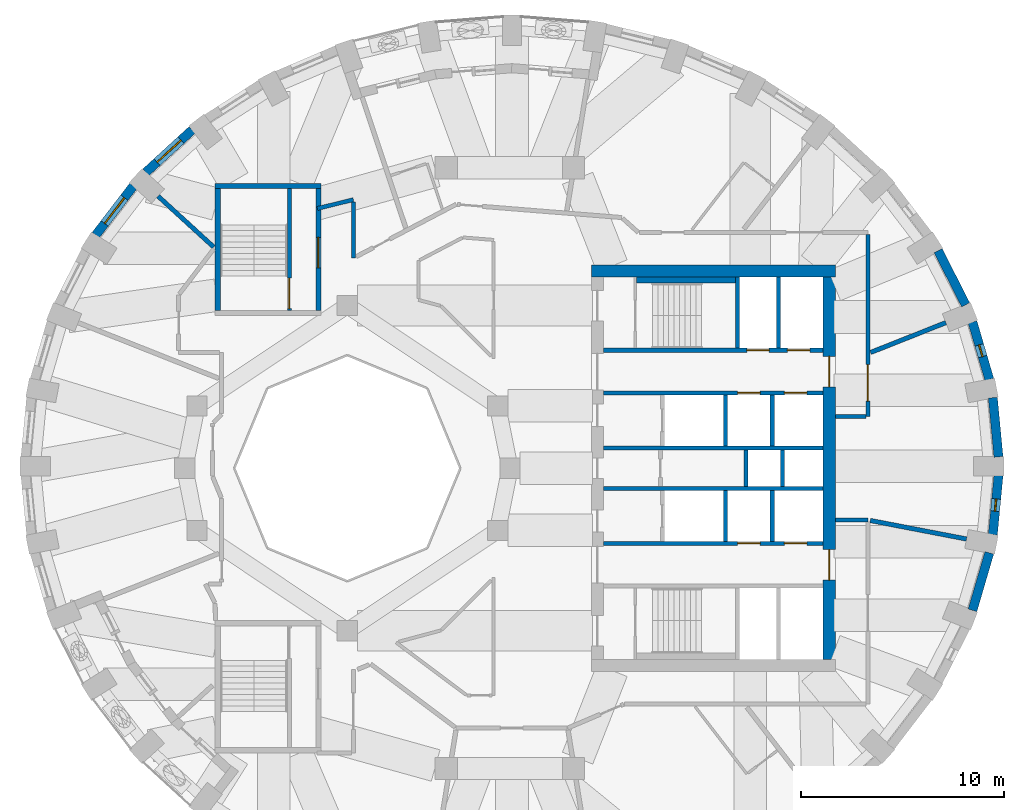
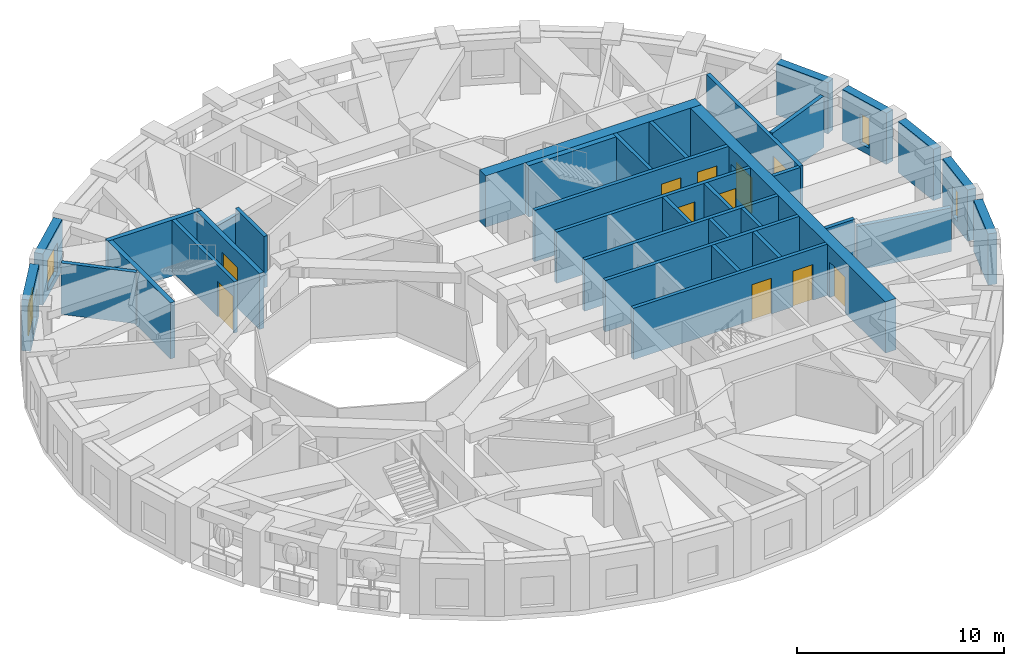
# One storey, part 6 of 11: 35 walls, 11 doors, 4 windows, 15 openings.
"""IFC4 building model written with IfcOpenShell, lengths in metres."""

import ifcopenshell
import ifcopenshell.guid

model = None  # the IFC model being written
_history = None  # IfcOwnerHistory: only IFC2X3 demands one
_inside = {}  # id of a spatial element -> (the spatial element, [elements in it])
_under = {}  # id of a project, library or spatial element -> (it, [spatial elements below it])
_declared = {}  # id of a project -> (the project, [libraries it declares])
_typed = {}  # id of a type object -> (the type object, [elements of that type])
_made_of = {}  # id of a material, layer set ... -> (it, [elements and type objects made of it])


def new_model(schema):
    """Start an empty IFC model of exactly this schema.

    Asked for "IFC4X3", IfcOpenShell would pick the latest addendum, in which some entities
    have other attributes; the version numbers below select the first issue.
    IFC2X3 requires an IfcOwnerHistory on every rooted entity: one is made here for all.
    """
    global model, _history
    if schema == "IFC4X3":
        model = ifcopenshell.file(schema_version=(4, 3, 0, 0))
    else:
        model = ifcopenshell.file(schema=schema)
    _inside.clear()
    _under.clear()
    _declared.clear()
    _typed.clear()
    _made_of.clear()
    _history = None
    if model.schema == "IFC2X3":
        org = make("IfcOrganization", Name="unknown")
        user = make(
            "IfcPersonAndOrganization",
            ThePerson=make("IfcPerson", FamilyName="unknown"),
            TheOrganization=org,
        )
        app = make(
            "IfcApplication",
            ApplicationDeveloper=org,
            Version="unknown",
            ApplicationFullName="unknown",
            ApplicationIdentifier="unknown",
        )
        _history = make(
            "IfcOwnerHistory",
            OwningUser=user,
            OwningApplication=app,
            ChangeAction="ADDED",
            CreationDate=0,
        )
    return model


def make(cls, **values):
    """One entity of the class cls with the attributes given. An attribute that is None is left unset."""
    return model.create_entity(
        cls, **{name: value for name, value in values.items() if value is not None}
    )


def rooted(cls, **values):
    """An entity with a GlobalId (a new one), such as an element, a storey or a relation."""
    return make(cls, GlobalId=ifcopenshell.guid.new(), OwnerHistory=_history, **values)


def si_unit(unit_type, name, prefix=None):
    """IfcSIUnit, for example si_unit("LENGTHUNIT", "METRE", prefix="MILLI")."""
    return make("IfcSIUnit", UnitType=unit_type, Prefix=prefix, Name=name)


def assignment(units):
    """IfcUnitAssignment: the units of a project."""
    return None if units is None else make("IfcUnitAssignment", Units=units)


def point(xyz):
    """IfcCartesianPoint."""
    return None if xyz is None else make("IfcCartesianPoint", Coordinates=xyz)


def direction(xyz):
    """IfcDirection."""
    return None if xyz is None else make("IfcDirection", DirectionRatios=xyz)


def frame(location, z_axis=None, x_axis=None):
    """IfcAxis2Placement3D, a coordinate frame: its origin and axes. An axis left out is left unset."""
    return make(
        "IfcAxis2Placement3D",
        Location=point(location),
        Axis=direction(z_axis),
        RefDirection=direction(x_axis),
    )


def frame_2d(location, x_axis=None):
    """IfcAxis2Placement2D, a coordinate frame in the plane: its origin and x axis."""
    return make(
        "IfcAxis2Placement2D", Location=point(location), RefDirection=direction(x_axis)
    )


def origin():
    """The frame at (0, 0, 0) with its axes left unset."""
    return frame((0.0, 0.0, 0.0))


def place(relative_to, where):
    """IfcLocalPlacement: puts the frame where relative to a parent placement (None: the world)."""
    return make(
        "IfcLocalPlacement", PlacementRelTo=relative_to, RelativePlacement=where
    )


def context(
    kind, dimensions, precision=None, world=None, true_north=None, identifier=None
):
    """IfcGeometricRepresentationContext, for example the 3D "Model" context."""
    return make(
        "IfcGeometricRepresentationContext",
        ContextIdentifier=identifier,
        ContextType=kind,
        CoordinateSpaceDimension=dimensions,
        Precision=precision,
        WorldCoordinateSystem=world,
        TrueNorth=true_north,
    )


def subcontext(parent, identifier, kind, view, scale=None):
    """IfcGeometricRepresentationSubContext, for example "Body" below "Model"."""
    return make(
        "IfcGeometricRepresentationSubContext",
        ContextIdentifier=identifier,
        ContextType=kind,
        ParentContext=parent,
        TargetScale=scale,
        TargetView=view,
    )


def project(units=None, contexts=None):
    """IfcProject with its units and contexts."""
    return rooted(
        "IfcProject",
        Name="project",
        RepresentationContexts=contexts,
        UnitsInContext=assignment(units),
    )


def spatial(cls, under=None, at=None, **own):
    """A site, building, storey or space (cls), placed at a placement, below another one or the project."""
    s = rooted(cls, ObjectPlacement=at, **own)
    if under is not None:
        _under.setdefault(under.id(), (under, []))[1].append(s)
    return s


def profile(cls, at=None, kind="AREA", **sizes):
    """A parametric profile (cls). Its sizes go by their IFC names, for example OverallWidth=200.0."""
    return make(cls, ProfileType=kind, Position=at, **sizes)


def rectangle(**sizes):
    """IfcRectangleProfileDef."""
    return profile("IfcRectangleProfileDef", **sizes)


def extrude(swept, where, along, depth):
    """IfcExtrudedAreaSolid: the profile swept, set in the frame where, extruded along a direction by depth."""
    return make(
        "IfcExtrudedAreaSolid",
        SweptArea=swept,
        Position=where,
        ExtrudedDirection=direction(along),
        Depth=depth,
    )


def shape(context_of_items, identifier, shape_type, items):
    """IfcShapeRepresentation: the items that make up one representation, for example the "Body"."""
    return make(
        "IfcShapeRepresentation",
        ContextOfItems=context_of_items,
        RepresentationIdentifier=identifier,
        RepresentationType=shape_type,
        Items=items,
    )


def material(Name=None, Category=None):
    """IfcMaterial."""
    return make("IfcMaterial", Name=Name, Category=Category)


def layer(
    of_material, thickness, ventilated=None, Name=None, Category=None, Priority=None
):
    """IfcMaterialLayer: one layer of a wall or slab, of a material (None: an air gap)."""
    return make(
        "IfcMaterialLayer",
        Material=of_material,
        LayerThickness=thickness,
        IsVentilated=ventilated,
        Name=Name,
        Category=Category,
        Priority=Priority,
    )


def layer_set(layers, Name=None):
    """IfcMaterialLayerSet."""
    return make("IfcMaterialLayerSet", MaterialLayers=layers, LayerSetName=Name)


def made_of(thing, what):
    """Note that an element or type object is made of a material, layer set ...; save() writes the relation."""
    if what is not None:
        _made_of.setdefault(what.id(), (what, []))[1].append(thing)
    return thing


def type_object(cls, material=None, **own):
    """A type object (cls), such as IfcWallType, which elements share."""
    return made_of(rooted(cls, **own), material)


def element(
    cls,
    number,
    at=None,
    inside=None,
    cuts=None,
    type_object=None,
    material=None,
    context=None,
    identifier="Body",
    shape_type=None,
    held_by="IfcProductDefinitionShape",
    body=None,
    shapes=None,
    **own,
):
    """One element of the class cls, such as IfcWall. Its Tag is "e" and its number.

    at: its placement. inside: the storey or other place that contains it. cuts: it is an
    opening in that element (IfcRelVoidsElement). A single representation is given by context,
    identifier, shape_type and body (its items); several are given by shapes. held_by: the class
    of the entity that holds the representations. save() writes the other relations.
    """
    e = rooted(cls, Tag="e%d" % number, ObjectPlacement=at, **own)
    if body is not None:
        shapes = [shape(context, identifier, shape_type, body)]
    if shapes is not None:
        e.Representation = make(held_by, Representations=shapes)
    if inside is not None:
        _inside.setdefault(inside.id(), (inside, []))[1].append(e)
    if cuts is not None:
        rooted(
            "IfcRelVoidsElement", RelatingBuildingElement=cuts, RelatedOpeningElement=e
        )
    if type_object is not None:
        _typed.setdefault(type_object.id(), (type_object, []))[1].append(e)
    return made_of(e, material)


def fill(opening, filler):
    """IfcRelFillsElement: the door or window that sits in an opening."""
    return rooted(
        "IfcRelFillsElement",
        RelatingOpeningElement=opening,
        RelatedBuildingElement=filler,
    )


def aggregate(whole, parts):
    """IfcRelAggregates: a whole, such as a stair, and the parts it consists of."""
    return rooted("IfcRelAggregates", RelatingObject=whole, RelatedObjects=parts)


def save(model, path):
    """Write the relations noted so far, then the file.

    IfcRelAggregates (storeys below a building ...), IfcRelContainedInSpatialStructure (elements
    in a storey), IfcRelDefinesByType, IfcRelAssociatesMaterial and IfcRelDeclares: one each for
    every whole, place, type object, material and project.
    """
    for whole, parts in _under.values():
        aggregate(whole, parts)
    for where, things in _inside.values():
        rooted(
            "IfcRelContainedInSpatialStructure",
            RelatedElements=things,
            RelatingStructure=where,
        )
    for kind, things in _typed.values():
        rooted("IfcRelDefinesByType", RelatedObjects=things, RelatingType=kind)
    for what, things in _made_of.values():
        rooted("IfcRelAssociatesMaterial", RelatedObjects=things, RelatingMaterial=what)
    for by, libraries in _declared.values():
        rooted("IfcRelDeclares", RelatingContext=by, RelatedDefinitions=libraries)
    model.write(path)


model = new_model("IFC4")

# Units and contexts
model_context = context("Model", 3, precision=1e-05, world=origin(), true_north=direction((0.0, 1.0)))
body_context = subcontext(model_context, "Body", "Model", "MODEL_VIEW")
ifc_project = project(units=[si_unit("LENGTHUNIT", "METRE"), si_unit("AREAUNIT", "SQUARE_METRE"), si_unit("VOLUMEUNIT", "CUBIC_METRE"), si_unit("PLANEANGLEUNIT", "RADIAN"), si_unit("MASSUNIT", "GRAM", prefix="KILO")], contexts=[model_context])

# Site, building, storey
site_placement = place(None, origin())
site = spatial("IfcSite", under=ifc_project, at=site_placement, CompositionType="ELEMENT")
building_placement = place(site_placement, origin())
building = spatial("IfcBuilding", under=site, at=building_placement, Name="Taillehof Tower", CompositionType="ELEMENT")
storey_placement = place(building_placement, frame((0.0, 0.0, 178.10009765625)))
storey = spatial("IfcBuildingStorey", under=building, at=storey_placement, Name="L50", CompositionType="ELEMENT", Elevation=178.10009765625)

# Wall
ifc_material_1 = material(Name="Brick masonry", Category="masonry")
ifc_layer_1 = layer(ifc_material_1, 0.449951171875)
ifc_layer_set_1 = layer_set([ifc_layer_1], Name="Brick infill wall 450")
wall_type_1 = type_object("IfcWallType", Name="Brick infill wall 450", PredefinedType="SOLIDWALL", material=ifc_layer_set_1)
wall_1_placement = place(storey_placement, frame((24.030517578125, 0.55517578125, 0.0), z_axis=(0.0, 0.0, 1.0), x_axis=(-0.095265737322, 0.995451876935, 0.0)))
element("IfcWall", 1, at=wall_1_placement, inside=storey, type_object=wall_type_1, Name="Brick wall L50 bay 1", PredefinedType="SOLIDWALL", context=body_context, shape_type="SweptSolid", body=[
    extrude(rectangle(XDim=2.9267578125, YDim=0.449951171875, at=frame_2d((1.46337890625, 0.0))), origin(), (0.0, 0.0, 1.0), 3.02001953125),
])

# Wall, opening, window
wall_2_placement = place(storey_placement, frame((23.579833984375, 4.3623046875, 0.0), z_axis=(0.0, 0.0, 1.0), x_axis=(-0.281049481624, 0.959693278542, 0.0)))
wall_2 = element("IfcWall", 2, at=wall_2_placement, inside=storey, type_object=wall_type_1, Name="Brick wall L50 bay 2", PredefinedType="SOLIDWALL", context=body_context, shape_type="SweptSolid", body=[
    extrude(rectangle(XDim=2.947509765625, YDim=0.449951171875, at=frame_2d((1.4736328125, 0.0))), origin(), (0.0, 0.0, 1.0), 3.02001953125),
])
opening_1_placement = place(wall_2_placement, frame((1.173583984375, 0.0, 0.39990234375)))
opening_1 = element("IfcOpeningElement", 3, at=opening_1_placement, cuts=wall_2, Name="Opening W6", PredefinedType="OPENING", context=body_context, shape_type="SweptSolid", body=[
    extrude(rectangle(XDim=0.60009765625, YDim=1.75, at=frame_2d((0.300048828125, 0.875))), frame((0.0, 0.23486328125, 0.0), z_axis=(0.0, -1.0, 0.0), x_axis=(1.0, 0.0, 0.0)), (0.0, 0.0, 1.0), 0.469970703125),
])
ifc_material_2 = material(Name="Aluminium window frame with clear double glazing", Category="aluminium")
window_type_1 = type_object("IfcWindowType", Name="Slot window 600x1750", PartitioningType="SINGLE_PANEL", PredefinedType="WINDOW", material=ifc_material_2)
window_1_placement = place(opening_1_placement, origin())
window_1 = element("IfcWindow", 4, at=window_1_placement, inside=storey, type_object=window_type_1, Name="W6", OverallHeight=1.75, OverallWidth=0.60009765625, PartitioningType="SINGLE_PANEL", PredefinedType="WINDOW", context=body_context, shape_type="SweptSolid", body=[
    extrude(rectangle(XDim=0.60009765625, YDim=1.75, at=frame_2d((0.300048828125, 0.875))), frame((0.0, 0.034912109375, 0.0), z_axis=(0.0, -1.0, 0.0), x_axis=(1.0, 0.0, 0.0)), (0.0, 0.0, 1.0), 0.06005859375),
])
fill(opening_1, window_1)

# Wall
wall_3_placement = place(storey_placement, frame((22.415283203125, 8.036865234375, 0.0), z_axis=(0.0, 0.0, 1.0), x_axis=(-0.454133999889, 0.890933392653, 0.0)))
element("IfcWall", 5, at=wall_3_placement, inside=storey, type_object=wall_type_1, Name="Brick wall L50 bay 3", PredefinedType="SOLIDWALL", context=body_context, shape_type="SweptSolid", body=[
    extrude(rectangle(XDim=2.98583984375, YDim=0.449951171875, at=frame_2d((1.492919921875, 0.0))), origin(), (0.0, 0.0, 1.0), 3.02001953125),
])

# Wall, opening, window
wall_4_placement = place(storey_placement, frame((-15.630126953125, 16.638671875, 0.0), z_axis=(0.0, 0.0, 1.0), x_axis=(-0.737808755941, -0.675009807082, 0.0)))
wall_4 = element("IfcWall", 6, at=wall_4_placement, inside=storey, type_object=wall_type_1, Name="Brick wall L50 bay 14", PredefinedType="SOLIDWALL", context=body_context, shape_type="SweptSolid", body=[
    extrude(rectangle(XDim=3.094482421875, YDim=0.449951171875, at=frame_2d((1.54736328125, 0.0))), origin(), (0.0, 0.0, 1.0), 3.02001953125),
])
opening_2_placement = place(wall_4_placement, frame((0.747314453125, 0.0, 0.39990234375)))
opening_2 = element("IfcOpeningElement", 7, at=opening_2_placement, cuts=wall_4, Name="Opening W3", PredefinedType="OPENING", context=body_context, shape_type="SweptSolid", body=[
    extrude(rectangle(XDim=1.60009765625, YDim=1.75, at=frame_2d((0.800048828125, 0.875))), frame((0.0, 0.23486328125, 0.0), z_axis=(0.0, -1.0, 0.0), x_axis=(1.0, 0.0, 0.0)), (0.0, 0.0, 1.0), 0.469970703125),
])
ifc_material_3 = material(Name="Aluminium window frame with clear double glazing", Category="aluminium")
window_type_2 = type_object("IfcWindowType", Name="Deep-set window 1600x1750", PartitioningType="SINGLE_PANEL", PredefinedType="WINDOW", material=ifc_material_3)
window_2_placement = place(opening_2_placement, origin())
window_2 = element("IfcWindow", 8, at=window_2_placement, inside=storey, type_object=window_type_2, Name="W3", OverallHeight=1.75, OverallWidth=1.60009765625, PartitioningType="SINGLE_PANEL", PredefinedType="WINDOW", context=body_context, shape_type="SweptSolid", body=[
    extrude(rectangle(XDim=1.60009765625, YDim=1.75, at=frame_2d((0.800048828125, 0.875))), frame((0.0, 0.034912109375, 0.0), z_axis=(0.0, -1.0, 0.0), x_axis=(1.0, 0.0, 0.0)), (0.0, 0.0, 1.0), 0.06005859375),
])
fill(opening_2, window_2)

wall_5_placement = place(storey_placement, frame((-18.528076171875, 13.878662109375, 0.0), z_axis=(0.0, 0.0, 1.0), x_axis=(-0.607817056371, -0.794077090706, 0.0)))
wall_5 = element("IfcWall", 9, at=wall_5_placement, inside=storey, type_object=wall_type_1, Name="Brick wall L50 bay 15", PredefinedType="SOLIDWALL", context=body_context, shape_type="SweptSolid", body=[
    extrude(rectangle(XDim=3.037109375, YDim=0.449951171875, at=frame_2d((1.5185546875, 0.0))), origin(), (0.0, 0.0, 1.0), 3.02001953125),
])
opening_3_placement = place(wall_5_placement, frame((0.718505859375, 0.0, 0.39990234375)))
opening_3 = element("IfcOpeningElement", 10, at=opening_3_placement, cuts=wall_5, Name="Opening W3", PredefinedType="OPENING", context=body_context, shape_type="SweptSolid", body=[
    extrude(rectangle(XDim=1.60009765625, YDim=1.75, at=frame_2d((0.800048828125, 0.875))), frame((0.0, 0.23486328125, 0.0), z_axis=(0.0, -1.0, 0.0), x_axis=(1.0, 0.0, 0.0)), (0.0, 0.0, 1.0), 0.469970703125),
])
window_3_placement = place(opening_3_placement, origin())
window_3 = element("IfcWindow", 11, at=window_3_placement, inside=storey, type_object=window_type_2, Name="W3", OverallHeight=1.75, OverallWidth=1.60009765625, PartitioningType="SINGLE_PANEL", PredefinedType="WINDOW", context=body_context, shape_type="SweptSolid", body=[
    extrude(rectangle(XDim=1.60009765625, YDim=1.75, at=frame_2d((0.800048828125, 0.875))), frame((0.0, 0.034912109375, 0.0), z_axis=(0.0, -1.0, 0.0), x_axis=(1.0, 0.0, 0.0)), (0.0, 0.0, 1.0), 0.06005859375),
])
fill(opening_3, window_3)

# Wall
wall_6_placement = place(storey_placement, frame((22.75146484375, -6.990966796875, 0.0), z_axis=(0.0, 0.0, 1.0), x_axis=(0.281049481624, 0.959693278542, 0.0)))
element("IfcWall", 12, at=wall_6_placement, inside=storey, type_object=wall_type_1, Name="Brick wall L50 bay 35", PredefinedType="SOLIDWALL", context=body_context, shape_type="SweptSolid", body=[
    extrude(rectangle(XDim=2.947509765625, YDim=0.449951171875, at=frame_2d((1.4736328125, 0.0))), origin(), (0.0, 0.0, 1.0), 3.02001953125),
])

# Wall, opening, window
wall_7_placement = place(storey_placement, frame((23.751708984375, -3.2685546875, 0.0), z_axis=(0.0, 0.0, 1.0), x_axis=(0.095257827044, 0.995452633924, 0.0)))
wall_7 = element("IfcWall", 13, at=wall_7_placement, inside=storey, type_object=wall_type_1, Name="Brick wall L50 bay 36", PredefinedType="SOLIDWALL", context=body_context, shape_type="SweptSolid", body=[
    extrude(rectangle(XDim=2.927001953125, YDim=0.449951171875, at=frame_2d((1.46337890625, 0.0))), origin(), (0.0, 0.0, 1.0), 3.02001953125),
])
opening_4_placement = place(wall_7_placement, frame((1.163330078125, 0.0, 0.39990234375)))
opening_4 = element("IfcOpeningElement", 14, at=opening_4_placement, cuts=wall_7, Name="Opening W6", PredefinedType="OPENING", context=body_context, shape_type="SweptSolid", body=[
    extrude(rectangle(XDim=0.60009765625, YDim=1.75, at=frame_2d((0.300048828125, 0.875))), frame((0.0, 0.23486328125, 0.0), z_axis=(0.0, -1.0, 0.0), x_axis=(1.0, 0.0, 0.0)), (0.0, 0.0, 1.0), 0.469970703125),
])
window_4_placement = place(opening_4_placement, origin())
window_4 = element("IfcWindow", 15, at=window_4_placement, inside=storey, type_object=window_type_1, Name="W6", OverallHeight=1.75, OverallWidth=0.60009765625, PartitioningType="SINGLE_PANEL", PredefinedType="WINDOW", context=body_context, shape_type="SweptSolid", body=[
    extrude(rectangle(XDim=0.60009765625, YDim=1.75, at=frame_2d((0.300048828125, 0.875))), frame((0.0, 0.034912109375, 0.0), z_axis=(0.0, -1.0, 0.0), x_axis=(1.0, 0.0, 0.0)), (0.0, 0.0, 1.0), 0.06005859375),
])
fill(opening_4, window_4)

# Walls
ifc_material_4 = material(Name="Calcium silicate masonry", Category="masonry")
ifc_layer_2 = layer(ifc_material_4, 0.199951171875)
ifc_layer_set_2 = layer_set([ifc_layer_2], Name="Compartment wall calcium silicate 200")
wall_type_2 = type_object("IfcWallType", Name="Compartment wall calcium silicate 200", PredefinedType="PARTITIONING", material=ifc_layer_set_2)
for number, where, z_axis, x_axis, name in (
    (16, (11.60009765625, -0.89990234375, 0.0), (0.0, 0.0, 1.0), (0.0, 1.0, 0.0), "Compartment wall FW"),
    (17, (13.39990234375, -0.89990234375, 0.0), (0.0, 0.0, 1.0), (0.0, 1.0, 0.0), "Compartment wall FW"),
):
    element("IfcWall", number, at=place(storey_placement, frame(where, z_axis=z_axis, x_axis=x_axis)), inside=storey, type_object=wall_type_2, Name=name, PredefinedType="PARTITIONING", context=body_context, shape_type="SweptSolid", body=[
        extrude(rectangle(XDim=1.7998046875, YDim=0.199951171875, at=frame_2d((0.89990234375, 0.0))), origin(), (0.0, 0.0, 1.0), 3.02001953125),
    ])
ifc_material_5 = material(Name="Gypsum board on steel studs, two layers each side", Category="steel")
ifc_layer_3 = layer(ifc_material_5, 0.199951171875)
ifc_layer_set_3 = layer_set([ifc_layer_3], Name="Compartment wall corridor 200")
wall_type_3 = type_object("IfcWallType", Name="Compartment wall corridor 200", PredefinedType="PARTITIONING", material=ifc_layer_set_3)
wall_8_placement = place(storey_placement, frame((-9.4736328125, 12.77294921875, 0.0), z_axis=(0.0, 0.0, 1.0), x_axis=(0.971086426401, 0.238728197874, 0.0)))
element("IfcWall", 18, at=wall_8_placement, inside=storey, type_object=wall_type_3, Name="Compartment wall", PredefinedType="PARTITIONING", context=body_context, shape_type="SweptSolid", body=[
    extrude(rectangle(XDim=1.826416015625, YDim=0.199951171875, at=frame_2d((0.9130859375, 0.0))), origin(), (0.0, 0.0, 1.0), 2.56982421875),
])
wall_9_placement = place(storey_placement, frame((-7.699951171875, 13.0888671875, 0.0), z_axis=(0.0, 0.0, 1.0), x_axis=(0.0, -1.0, 0.0)))
element("IfcWall", 19, at=wall_9_placement, inside=storey, type_object=wall_type_3, Name="Compartment wall", PredefinedType="PARTITIONING", context=body_context, shape_type="SweptSolid", body=[
    extrude(rectangle(XDim=2.754150390625, YDim=0.199951171875, at=frame_2d((1.376953125, 0.0))), origin(), (0.0, 0.0, 1.0), 3.02001953125),
])

# Wall, opening, door
wall_10_placement = place(storey_placement, frame((17.60009765625, 11.5, 0.0), z_axis=(0.0, 0.0, 1.0), x_axis=(0.0, -1.0, 0.0)))
wall_10 = element("IfcWall", 20, at=wall_10_placement, inside=storey, type_object=wall_type_3, Name="Compartment wall", PredefinedType="PARTITIONING", context=body_context, shape_type="SweptSolid", body=[
    extrude(rectangle(XDim=8.962158203125, YDim=0.199951171875, at=frame_2d((4.48095703125, 0.0))), origin(), (0.0, 0.0, 1.0), 3.02001953125),
])
opening_5_placement = place(wall_10_placement, frame((6.404296875, 0.0, 0.0)))
opening_5 = element("IfcOpeningElement", 21, at=opening_5_placement, cuts=wall_10, Name="Opening D5053", PredefinedType="OPENING", context=body_context, shape_type="SweptSolid", body=[
    extrude(rectangle(XDim=1.800048828125, YDim=2.10009765625, at=frame_2d((0.89990234375, 1.050048828125))), frame((0.0, 0.10986328125, 0.0), z_axis=(0.0, -1.0, 0.0), x_axis=(1.0, 0.0, 0.0)), (0.0, 0.0, 1.0), 0.219970703125),
])
ifc_material_6 = material(Name="Timber door leaf in steel frame", Category="steel")
door_type_1 = type_object("IfcDoorType", Name="Lounge and meeting room double door EI 30 1800 x 2100", OperationType="SINGLE_SWING_LEFT", PredefinedType="DOOR", material=ifc_material_6)
door_1_placement = place(opening_5_placement, origin())
door_1 = element("IfcDoor", 22, at=door_1_placement, inside=storey, type_object=door_type_1, Name="D5053", OperationType="DOUBLE_DOOR_SINGLE_SWING", OverallHeight=2.10009765625, OverallWidth=1.800048828125, PredefinedType="DOOR", context=body_context, shape_type="SweptSolid", body=[
    extrude(rectangle(XDim=1.800048828125, YDim=2.10009765625, at=frame_2d((0.89990234375, 1.050048828125))), frame((0.0, 0.02490234375, 0.0), z_axis=(0.0, -1.0, 0.0), x_axis=(1.0, 0.0, 0.0)), (0.0, 0.0, 1.0), 0.050048828125),
])
fill(opening_5, door_1)

# Walls
wall_11_placement = place(storey_placement, frame((17.5, 2.537841796875, 0.0), z_axis=(0.0, 0.0, 1.0), x_axis=(-1.0, 0.0, 0.0)))
element("IfcWall", 23, at=wall_11_placement, inside=storey, type_object=wall_type_3, Name="Compartment wall", PredefinedType="PARTITIONING", context=body_context, shape_type="SweptSolid", body=[
    extrude(rectangle(XDim=1.49609375, YDim=0.199951171875, at=frame_2d((0.748046875, 0.0))), origin(), (0.0, 0.0, 1.0), 3.02001953125),
])
wall_12_placement = place(storey_placement, frame((16.00390625, -2.537841796875, 0.0), z_axis=(0.0, 0.0, 1.0), x_axis=(1.0, 0.0, 0.0)))
element("IfcWall", 24, at=wall_12_placement, inside=storey, type_object=wall_type_3, Name="Compartment wall", PredefinedType="PARTITIONING", context=body_context, shape_type="SweptSolid", body=[
    extrude(rectangle(XDim=1.59619140625, YDim=0.199951171875, at=frame_2d((0.798095703125, 0.0))), origin(), (0.0, 0.0, 1.0), 3.02001953125),
])
ifc_material_7 = material(Name="Gypsum board on double steel studs with mineral wool", Category="steel")
ifc_layer_4 = layer(ifc_material_7, 0.219970703125)
ifc_layer_set_4 = layer_set([ifc_layer_4], Name="Compartment wall guest room 220")
wall_type_4 = type_object("IfcWallType", Name="Compartment wall guest room 220", PredefinedType="PARTITIONING", material=ifc_layer_set_4)
wall_13_placement = place(storey_placement, frame((21.438720703125, 7.15966796875, 0.0), z_axis=(0.0, 0.0, 1.0), x_axis=(-0.929517399972, -0.368778257426, 0.0)))
element("IfcWall", 25, at=wall_13_placement, inside=storey, type_object=wall_type_4, Name="Compartment wall", PredefinedType="PARTITIONING", context=body_context, shape_type="SweptSolid", body=[
    extrude(rectangle(XDim=3.982177734375, YDim=0.219970703125, at=frame_2d((1.9912109375, 0.0))), origin(), (0.0, 0.0, 1.0), 3.02001953125),
])
wall_14_placement = place(storey_placement, frame((-17.310302734375, 13.381591796875, 0.0), z_axis=(0.0, 0.0, 1.0), x_axis=(0.737827699829, -0.674989100182, 0.0)))
element("IfcWall", 26, at=wall_14_placement, inside=storey, type_object=wall_type_4, Name="Compartment wall", PredefinedType="PARTITIONING", context=body_context, shape_type="SweptSolid", body=[
    extrude(rectangle(XDim=3.71435546875, YDim=0.219970703125, at=frame_2d((1.857177734375, 0.0))), origin(), (0.0, 0.0, 1.0), 3.02001953125),
])
wall_15_placement = place(storey_placement, frame((22.457275390625, -3.483154296875, 0.0), z_axis=(0.0, 0.0, 1.0), x_axis=(-0.982022686577, 0.188762928159, 0.0)))
element("IfcWall", 27, at=wall_15_placement, inside=storey, type_object=wall_type_4, Name="Compartment wall", PredefinedType="PARTITIONING", context=body_context, shape_type="SweptSolid", body=[
    extrude(rectangle(XDim=4.82421875, YDim=0.219970703125, at=frame_2d((2.412109375, 0.0))), origin(), (0.0, 0.0, 1.0), 2.56982421875),
])
ifc_material_8 = material(Name="Calcium silicate masonry", Category="masonry")
ifc_layer_5 = layer(ifc_material_8, 0.300048828125)
ifc_layer_set_5 = layer_set([ifc_layer_5], Name="Compartment wall lining calcium silicate 300")
wall_type_5 = type_object("IfcWallType", Name="Compartment wall lining calcium silicate 300", PredefinedType="PARTITIONING", material=ifc_layer_set_5)
wall_16_placement = place(storey_placement, frame((6.219970703125, 9.25, 0.0), z_axis=(0.0, 0.0, 1.0), x_axis=(1.0, 0.0, 0.0)))
element("IfcWall", 28, at=wall_16_placement, inside=storey, type_object=wall_type_5, Name="Compartment wall FW", PredefinedType="PARTITIONING", context=body_context, shape_type="SweptSolid", body=[
    extrude(rectangle(XDim=4.880126953125, YDim=0.300048828125, at=frame_2d((2.43994140625, 0.0))), origin(), (0.0, 0.0, 1.0), 3.02001953125),
])

# Wall, openings, doors
ifc_material_9 = material(Name="Concrete C80/95", Category="concrete")
ifc_layer_6 = layer(ifc_material_9, 0.60009765625)
ifc_layer_set_6 = layer_set([ifc_layer_6], Name="Core wall C80/95 600")
wall_type_6 = type_object("IfcWallType", Name="Core wall C80/95 600", PredefinedType="SHEAR", material=ifc_layer_set_6)
wall_17_placement = place(storey_placement, frame((15.699951171875, -9.39990234375, 0.0), z_axis=(0.0, 0.0, 1.0), x_axis=(0.0, 1.0, 0.0)))
wall_17 = element("IfcWall", 29, at=wall_17_placement, inside=storey, type_object=wall_type_6, Name="Core wall CW05", PredefinedType="SHEAR", context=body_context, shape_type="SweptSolid", body=[
    extrude(rectangle(XDim=18.7998046875, YDim=0.60009765625, at=frame_2d((9.39990234375, 0.0))), origin(), (0.0, 0.0, 1.0), 3.02001953125),
])
opening_6_placement = place(wall_17_placement, frame((13.39990234375, 0.0, 0.0)))
opening_6 = element("IfcOpeningElement", 30, at=opening_6_placement, cuts=wall_17, Name="Opening D5008", PredefinedType="OPENING", context=body_context, shape_type="SweptSolid", body=[
    extrude(rectangle(XDim=1.5, YDim=2.10009765625, at=frame_2d((0.75, 1.050048828125))), frame((0.0, 0.31005859375, 0.0), z_axis=(0.0, -1.0, 0.0), x_axis=(1.0, 0.0, 0.0)), (0.0, 0.0, 1.0), 0.6201171875),
])
opening_7_placement = place(wall_17_placement, frame((3.89990234375, 0.0, 0.0)))
opening_7 = element("IfcOpeningElement", 31, at=opening_7_placement, cuts=wall_17, Name="Opening D5009", PredefinedType="OPENING", context=body_context, shape_type="SweptSolid", body=[
    extrude(rectangle(XDim=1.5, YDim=2.10009765625, at=frame_2d((0.75, 1.050048828125))), frame((0.0, 0.31005859375, 0.0), z_axis=(0.0, -1.0, 0.0), x_axis=(1.0, 0.0, 0.0)), (0.0, 0.0, 1.0), 0.6201171875),
])
ifc_material_10 = material(Name="Steel-faced fire door", Category="steel")
door_type_2 = type_object("IfcDoorType", Name="Lift lobby east door 1500x2100", OperationType="DOUBLE_DOOR_SINGLE_SWING", PredefinedType="DOOR", material=ifc_material_10)
door_2_placement = place(opening_6_placement, origin())
door_2 = element("IfcDoor", 32, at=door_2_placement, inside=storey, type_object=door_type_2, Name="Lift lobby east door north", OperationType="DOUBLE_DOOR_SINGLE_SWING", OverallHeight=2.10009765625, OverallWidth=1.5, PredefinedType="DOOR", context=body_context, shape_type="SweptSolid", body=[
    extrude(rectangle(XDim=1.5, YDim=2.10009765625, at=frame_2d((0.75, 1.050048828125))), frame((0.0, 0.02490234375, 0.0), z_axis=(0.0, -1.0, 0.0), x_axis=(1.0, 0.0, 0.0)), (0.0, 0.0, 1.0), 0.050048828125),
])
fill(opening_6, door_2)
door_3_placement = place(opening_7_placement, origin())
door_3 = element("IfcDoor", 33, at=door_3_placement, inside=storey, type_object=door_type_2, Name="Lift lobby east door south", OperationType="DOUBLE_DOOR_SINGLE_SWING", OverallHeight=2.10009765625, OverallWidth=1.5, PredefinedType="DOOR", context=body_context, shape_type="SweptSolid", body=[
    extrude(rectangle(XDim=1.5, YDim=2.10009765625, at=frame_2d((0.75, 1.050048828125))), frame((0.0, 0.02490234375, 0.0), z_axis=(0.0, -1.0, 0.0), x_axis=(1.0, 0.0, 0.0)), (0.0, 0.0, 1.0), 0.050048828125),
])
fill(opening_7, door_3)

# Wall
wall_18_placement = place(storey_placement, frame((4.0, 9.699951171875, 0.0), z_axis=(0.0, 0.0, 1.0), x_axis=(1.0, 0.0, 0.0)))
element("IfcWall", 34, at=wall_18_placement, inside=storey, type_object=wall_type_6, Name="Core wall CW06", PredefinedType="SHEAR", context=body_context, shape_type="SweptSolid", body=[
    extrude(rectangle(XDim=12.0, YDim=0.60009765625, at=frame_2d((6.0, 0.0))), origin(), (0.0, 0.0, 1.0), 3.02001953125),
])

# Wall, openings, doors
ifc_material_11 = material(Name="Concrete C50/60", Category="concrete")
ifc_layer_7 = layer(ifc_material_11, 0.199951171875)
ifc_layer_set_7 = layer_set([ifc_layer_7], Name="Shaft wall C50/60 200")
wall_type_7 = type_object("IfcWallType", Name="Shaft wall C50/60 200", PredefinedType="SHEAR", material=ifc_layer_set_7)
wall_19_placement = place(storey_placement, frame((4.60009765625, 5.800048828125, 0.0), z_axis=(0.0, 0.0, 1.0), x_axis=(1.0, 0.0, 0.0)))
wall_19 = element("IfcWall", 35, at=wall_19_placement, inside=storey, type_object=wall_type_7, Name="Shaft wall SW", PredefinedType="SHEAR", context=body_context, shape_type="SweptSolid", body=[
    extrude(rectangle(XDim=10.7998046875, YDim=0.199951171875, at=frame_2d((5.39990234375, 0.0))), origin(), (0.0, 0.0, 1.0), 3.02001953125),
])
opening_8_placement = place(wall_19_placement, frame((7.050048828125, 0.0, 0.0)))
opening_8 = element("IfcOpeningElement", 36, at=opening_8_placement, cuts=wall_19, Name="Opening LD1", PredefinedType="OPENING", context=body_context, shape_type="SweptSolid", body=[
    extrude(rectangle(XDim=1.10009765625, YDim=2.10009765625, at=frame_2d((0.550048828125, 1.050048828125))), frame((0.0, 0.10986328125, 0.0), z_axis=(0.0, -1.0, 0.0), x_axis=(1.0, 0.0, 0.0)), (0.0, 0.0, 1.0), 0.219970703125),
])
opening_9_placement = place(wall_19_placement, frame((9.050048828125, 0.0, 0.0)))
opening_9 = element("IfcOpeningElement", 37, at=opening_9_placement, cuts=wall_19, Name="Opening LD1", PredefinedType="OPENING", context=body_context, shape_type="SweptSolid", body=[
    extrude(rectangle(XDim=1.10009765625, YDim=2.10009765625, at=frame_2d((0.550048828125, 1.050048828125))), frame((0.0, 0.10986328125, 0.0), z_axis=(0.0, -1.0, 0.0), x_axis=(1.0, 0.0, 0.0)), (0.0, 0.0, 1.0), 0.219970703125),
])
ifc_material_12 = material(Name="Stainless steel", Category="steel")
door_type_3 = type_object("IfcDoorType", Name="Lift landing door LD1 1100x2100", OperationType="DOUBLE_DOOR_SLIDING", PredefinedType="DOOR", material=ifc_material_12)
door_4_placement = place(opening_8_placement, origin())
door_4 = element("IfcDoor", 38, at=door_4_placement, inside=storey, type_object=door_type_3, Name="Landing door HR1", OperationType="DOUBLE_DOOR_SLIDING", OverallHeight=2.10009765625, OverallWidth=1.10009765625, PredefinedType="DOOR", context=body_context, shape_type="SweptSolid", body=[
    extrude(rectangle(XDim=1.10009765625, YDim=2.10009765625, at=frame_2d((0.550048828125, 1.050048828125))), frame((0.0, 0.02490234375, 0.0), z_axis=(0.0, -1.0, 0.0), x_axis=(1.0, 0.0, 0.0)), (0.0, 0.0, 1.0), 0.050048828125),
])
fill(opening_8, door_4)
door_5_placement = place(opening_9_placement, origin())
door_5 = element("IfcDoor", 39, at=door_5_placement, inside=storey, type_object=door_type_3, Name="Landing door HR2", OperationType="DOUBLE_DOOR_SLIDING", OverallHeight=2.10009765625, OverallWidth=1.10009765625, PredefinedType="DOOR", context=body_context, shape_type="SweptSolid", body=[
    extrude(rectangle(XDim=1.10009765625, YDim=2.10009765625, at=frame_2d((0.550048828125, 1.050048828125))), frame((0.0, 0.02490234375, 0.0), z_axis=(0.0, -1.0, 0.0), x_axis=(1.0, 0.0, 0.0)), (0.0, 0.0, 1.0), 0.050048828125),
])
fill(opening_9, door_5)

wall_20_placement = place(storey_placement, frame((4.60009765625, 3.699951171875, 0.0), z_axis=(0.0, 0.0, 1.0), x_axis=(1.0, 0.0, 0.0)))
wall_20 = element("IfcWall", 40, at=wall_20_placement, inside=storey, type_object=wall_type_7, Name="Shaft wall SW", PredefinedType="SHEAR", context=body_context, shape_type="SweptSolid", body=[
    extrude(rectangle(XDim=10.7998046875, YDim=0.199951171875, at=frame_2d((5.39990234375, 0.0))), origin(), (0.0, 0.0, 1.0), 3.02001953125),
])
opening_10_placement = place(wall_20_placement, frame((6.60009765625, 0.0, 0.0)))
opening_10 = element("IfcOpeningElement", 41, at=opening_10_placement, cuts=wall_20, Name="Opening LD1", PredefinedType="OPENING", context=body_context, shape_type="SweptSolid", body=[
    extrude(rectangle(XDim=1.10009765625, YDim=2.10009765625, at=frame_2d((0.550048828125, 1.050048828125))), frame((0.0, 0.10986328125, 0.0), z_axis=(0.0, -1.0, 0.0), x_axis=(1.0, 0.0, 0.0)), (0.0, 0.0, 1.0), 0.219970703125),
])
opening_11_placement = place(wall_20_placement, frame((8.89990234375, 0.0, 0.0)))
opening_11 = element("IfcOpeningElement", 42, at=opening_11_placement, cuts=wall_20, Name="Opening LD1", PredefinedType="OPENING", context=body_context, shape_type="SweptSolid", body=[
    extrude(rectangle(XDim=1.10009765625, YDim=2.10009765625, at=frame_2d((0.550048828125, 1.050048828125))), frame((0.0, 0.10986328125, 0.0), z_axis=(0.0, -1.0, 0.0), x_axis=(1.0, 0.0, 0.0)), (0.0, 0.0, 1.0), 0.219970703125),
])
door_6_placement = place(opening_10_placement, origin())
door_6 = element("IfcDoor", 43, at=door_6_placement, inside=storey, type_object=door_type_3, Name="Landing door HR3", OperationType="DOUBLE_DOOR_SLIDING", OverallHeight=2.10009765625, OverallWidth=1.10009765625, PredefinedType="DOOR", context=body_context, shape_type="SweptSolid", body=[
    extrude(rectangle(XDim=1.10009765625, YDim=2.10009765625, at=frame_2d((0.550048828125, 1.050048828125))), frame((0.0, 0.02490234375, 0.0), z_axis=(0.0, -1.0, 0.0), x_axis=(1.0, 0.0, 0.0)), (0.0, 0.0, 1.0), 0.050048828125),
])
fill(opening_10, door_6)
door_7_placement = place(opening_11_placement, origin())
door_7 = element("IfcDoor", 44, at=door_7_placement, inside=storey, type_object=door_type_3, Name="Landing door HR4", OperationType="DOUBLE_DOOR_SLIDING", OverallHeight=2.10009765625, OverallWidth=1.10009765625, PredefinedType="DOOR", context=body_context, shape_type="SweptSolid", body=[
    extrude(rectangle(XDim=1.10009765625, YDim=2.10009765625, at=frame_2d((0.550048828125, 1.050048828125))), frame((0.0, 0.02490234375, 0.0), z_axis=(0.0, -1.0, 0.0), x_axis=(1.0, 0.0, 0.0)), (0.0, 0.0, 1.0), 0.050048828125),
])
fill(opening_11, door_7)

# Walls
for number, where, z_axis, x_axis, name in (
    (45, (4.60009765625, 1.0, 0.0), (0.0, 0.0, 1.0), (1.0, 0.0, 0.0), "Shaft wall SW"),
    (46, (4.60009765625, -1.0, 0.0), (0.0, 0.0, 1.0), (1.0, 0.0, 0.0), "Shaft wall SW"),
):
    element("IfcWall", number, at=place(storey_placement, frame(where, z_axis=z_axis, x_axis=x_axis)), inside=storey, type_object=wall_type_7, Name=name, PredefinedType="SHEAR", context=body_context, shape_type="SweptSolid", body=[
        extrude(rectangle(XDim=10.7998046875, YDim=0.199951171875, at=frame_2d((5.39990234375, 0.0))), origin(), (0.0, 0.0, 1.0), 3.02001953125),
    ])

# Wall, openings, doors
wall_21_placement = place(storey_placement, frame((4.60009765625, -3.699951171875, 0.0), z_axis=(0.0, 0.0, 1.0), x_axis=(1.0, 0.0, 0.0)))
wall_21 = element("IfcWall", 47, at=wall_21_placement, inside=storey, type_object=wall_type_7, Name="Shaft wall SW", PredefinedType="SHEAR", context=body_context, shape_type="SweptSolid", body=[
    extrude(rectangle(XDim=10.7998046875, YDim=0.199951171875, at=frame_2d((5.39990234375, 0.0))), origin(), (0.0, 0.0, 1.0), 3.02001953125),
])
opening_12_placement = place(wall_21_placement, frame((6.60009765625, 0.0, 0.0)))
opening_12 = element("IfcOpeningElement", 48, at=opening_12_placement, cuts=wall_21, Name="Opening LD1", PredefinedType="OPENING", context=body_context, shape_type="SweptSolid", body=[
    extrude(rectangle(XDim=1.10009765625, YDim=2.10009765625, at=frame_2d((0.550048828125, 1.050048828125))), frame((0.0, 0.10986328125, 0.0), z_axis=(0.0, -1.0, 0.0), x_axis=(1.0, 0.0, 0.0)), (0.0, 0.0, 1.0), 0.219970703125),
])
opening_13_placement = place(wall_21_placement, frame((8.89990234375, 0.0, 0.0)))
opening_13 = element("IfcOpeningElement", 49, at=opening_13_placement, cuts=wall_21, Name="Opening LD1", PredefinedType="OPENING", context=body_context, shape_type="SweptSolid", body=[
    extrude(rectangle(XDim=1.10009765625, YDim=2.10009765625, at=frame_2d((0.550048828125, 1.050048828125))), frame((0.0, 0.10986328125, 0.0), z_axis=(0.0, -1.0, 0.0), x_axis=(1.0, 0.0, 0.0)), (0.0, 0.0, 1.0), 0.219970703125),
])
door_8_placement = place(opening_12_placement, origin())
door_8 = element("IfcDoor", 50, at=door_8_placement, inside=storey, type_object=door_type_3, Name="Landing door HR5", OperationType="DOUBLE_DOOR_SLIDING", OverallHeight=2.10009765625, OverallWidth=1.10009765625, PredefinedType="DOOR", context=body_context, shape_type="SweptSolid", body=[
    extrude(rectangle(XDim=1.10009765625, YDim=2.10009765625, at=frame_2d((0.550048828125, 1.050048828125))), frame((0.0, 0.02490234375, 0.0), z_axis=(0.0, -1.0, 0.0), x_axis=(1.0, 0.0, 0.0)), (0.0, 0.0, 1.0), 0.050048828125),
])
fill(opening_12, door_8)
door_9_placement = place(opening_13_placement, origin())
door_9 = element("IfcDoor", 51, at=door_9_placement, inside=storey, type_object=door_type_3, Name="Landing door HR6", OperationType="DOUBLE_DOOR_SLIDING", OverallHeight=2.10009765625, OverallWidth=1.10009765625, PredefinedType="DOOR", context=body_context, shape_type="SweptSolid", body=[
    extrude(rectangle(XDim=1.10009765625, YDim=2.10009765625, at=frame_2d((0.550048828125, 1.050048828125))), frame((0.0, 0.02490234375, 0.0), z_axis=(0.0, -1.0, 0.0), x_axis=(1.0, 0.0, 0.0)), (0.0, 0.0, 1.0), 0.050048828125),
])
fill(opening_13, door_9)

# Walls
for number, where, z_axis, x_axis, name in (
    (52, (11.199951171875, 5.89990234375, 0.0), (0.0, 0.0, 1.0), (0.0, 1.0, 0.0), "Shaft wall SW"),
    (53, (13.199951171875, 5.89990234375, 0.0), (0.0, 0.0, 1.0), (0.0, 1.0, 0.0), "Shaft wall SW"),
):
    element("IfcWall", number, at=place(storey_placement, frame(where, z_axis=z_axis, x_axis=x_axis)), inside=storey, type_object=wall_type_7, Name=name, PredefinedType="SHEAR", context=body_context, shape_type="SweptSolid", body=[
        extrude(rectangle(XDim=3.5, YDim=0.199951171875, at=frame_2d((1.75, 0.0))), origin(), (0.0, 0.0, 1.0), 3.02001953125),
    ])
for number, where, z_axis, x_axis, name in (
    (54, (10.60009765625, 1.10009765625, 0.0), (0.0, 0.0, 1.0), (0.0, 1.0, 0.0), "Shaft wall SW"),
    (55, (10.60009765625, -3.60009765625, 0.0), (0.0, 0.0, 1.0), (0.0, 1.0, 0.0), "Shaft wall SW"),
    (56, (12.89990234375, 1.10009765625, 0.0), (0.0, 0.0, 1.0), (0.0, 1.0, 0.0), "Shaft wall SW"),
    (57, (12.89990234375, -3.60009765625, 0.0), (0.0, 0.0, 1.0), (0.0, 1.0, 0.0), "Shaft wall SW"),
):
    element("IfcWall", number, at=place(storey_placement, frame(where, z_axis=z_axis, x_axis=x_axis)), inside=storey, type_object=wall_type_7, Name=name, PredefinedType="SHEAR", context=body_context, shape_type="SweptSolid", body=[
        extrude(rectangle(XDim=2.5, YDim=0.199951171875, at=frame_2d((1.25, 0.0))), origin(), (0.0, 0.0, 1.0), 3.02001953125),
    ])

# Wall, opening, door
wall_22_placement = place(storey_placement, frame((-10.85009765625, 7.75, 0.0), z_axis=(0.0, 0.0, 1.0), x_axis=(0.0, 1.0, 0.0)))
wall_22 = element("IfcWall", 58, at=wall_22_placement, inside=storey, type_object=wall_type_7, Name="Shaft wall SW", PredefinedType="SHEAR", context=body_context, shape_type="SweptSolid", body=[
    extrude(rectangle(XDim=6.0, YDim=0.199951171875, at=frame_2d((3.0, 0.0))), origin(), (0.0, 0.0, 1.0), 3.02001953125),
])
opening_14_placement = place(wall_22_placement, frame((0.10009765625, 0.0, 0.0)))
opening_14 = element("IfcOpeningElement", 59, at=opening_14_placement, cuts=wall_22, Name="Opening D5012", PredefinedType="OPENING", context=body_context, shape_type="SweptSolid", body=[
    extrude(rectangle(XDim=1.5, YDim=2.10009765625, at=frame_2d((0.75, 1.050048828125))), frame((0.0, 0.10986328125, 0.0), z_axis=(0.0, -1.0, 0.0), x_axis=(1.0, 0.0, 0.0)), (0.0, 0.0, 1.0), 0.219970703125),
])
ifc_material_13 = material(Name="Steel-faced fire door", Category="steel")
door_type_4 = type_object("IfcDoorType", Name="Stair door 1500x2100", OperationType="DOUBLE_DOOR_SINGLE_SWING", PredefinedType="DOOR", material=ifc_material_13)
door_10_placement = place(opening_14_placement, origin())
door_10 = element("IfcDoor", 60, at=door_10_placement, inside=storey, type_object=door_type_4, Name="Stair lobby door S3", OperationType="DOUBLE_DOOR_SINGLE_SWING", OverallHeight=2.10009765625, OverallWidth=1.5, PredefinedType="DOOR", context=body_context, shape_type="SweptSolid", body=[
    extrude(rectangle(XDim=1.5, YDim=2.10009765625, at=frame_2d((0.75, 1.050048828125))), frame((0.0, 0.02490234375, 0.0), z_axis=(0.0, -1.0, 0.0), x_axis=(1.0, 0.0, 0.0)), (0.0, 0.0, 1.0), 0.050048828125),
])
fill(opening_14, door_10)

# Wall
ifc_material_14 = material(Name="Concrete C50/60", Category="concrete")
ifc_layer_8 = layer(ifc_material_14, 0.25)
ifc_layer_set_8 = layer_set([ifc_layer_8], Name="Stair wall C50/60 250")
wall_type_8 = type_object("IfcWallType", Name="Stair wall C50/60 250", PredefinedType="SHEAR", material=ifc_layer_set_8)
wall_23_placement = place(storey_placement, frame((-14.375, 7.75, -0.280029296875), z_axis=(0.0, 0.0, 1.0), x_axis=(0.0, 1.0, 0.0)))
element("IfcWall", 61, at=wall_23_placement, inside=storey, type_object=wall_type_8, Name="Stair wall SC", PredefinedType="SHEAR", context=body_context, shape_type="SweptSolid", body=[
    extrude(rectangle(XDim=6.0, YDim=0.25, at=frame_2d((3.0, 0.0))), origin(), (0.0, 0.0, 1.0), 3.300048828125),
])

# Wall, opening, door
wall_24_placement = place(storey_placement, frame((-9.425048828125, 7.75, -0.280029296875), z_axis=(0.0, 0.0, 1.0), x_axis=(0.0, 1.0, 0.0)))
wall_24 = element("IfcWall", 62, at=wall_24_placement, inside=storey, type_object=wall_type_8, Name="Stair wall SC", PredefinedType="SHEAR", context=body_context, shape_type="SweptSolid", body=[
    extrude(rectangle(XDim=6.0, YDim=0.25, at=frame_2d((3.0, 0.0))), origin(), (0.0, 0.0, 1.0), 3.300048828125),
])
opening_15_placement = place(wall_24_placement, frame((2.10009765625, 0.0, 0.280029296875)))
opening_15 = element("IfcOpeningElement", 63, at=opening_15_placement, cuts=wall_24, Name="Opening D5015", PredefinedType="OPENING", context=body_context, shape_type="SweptSolid", body=[
    extrude(rectangle(XDim=1.5, YDim=2.10009765625, at=frame_2d((0.75, 1.050048828125))), frame((0.0, 0.135009765625, 0.0), z_axis=(0.0, -1.0, 0.0), x_axis=(1.0, 0.0, 0.0)), (0.0, 0.0, 1.0), 0.27001953125),
])
door_11_placement = place(opening_15_placement, origin())
door_11 = element("IfcDoor", 64, at=door_11_placement, inside=storey, type_object=door_type_4, Name="Stair door S3", OperationType="DOUBLE_DOOR_SINGLE_SWING", OverallHeight=2.10009765625, OverallWidth=1.5, PredefinedType="DOOR", context=body_context, shape_type="SweptSolid", body=[
    extrude(rectangle(XDim=1.5, YDim=2.10009765625, at=frame_2d((0.75, 1.050048828125))), frame((0.0, 0.02490234375, 0.0), z_axis=(0.0, -1.0, 0.0), x_axis=(1.0, 0.0, 0.0)), (0.0, 0.0, 1.0), 0.050048828125),
])
fill(opening_15, door_11)

# Wall
wall_25_placement = place(storey_placement, frame((-14.5, 13.875, -0.280029296875), z_axis=(0.0, 0.0, 1.0), x_axis=(1.0, 0.0, 0.0)))
element("IfcWall", 65, at=wall_25_placement, inside=storey, type_object=wall_type_8, Name="Stair wall SC", PredefinedType="SHEAR", context=body_context, shape_type="SweptSolid", body=[
    extrude(rectangle(XDim=5.199951171875, YDim=0.25, at=frame_2d((2.60009765625, 0.0))), origin(), (0.0, 0.0, 1.0), 3.300048828125),
])

save(model, "model.ifc")
